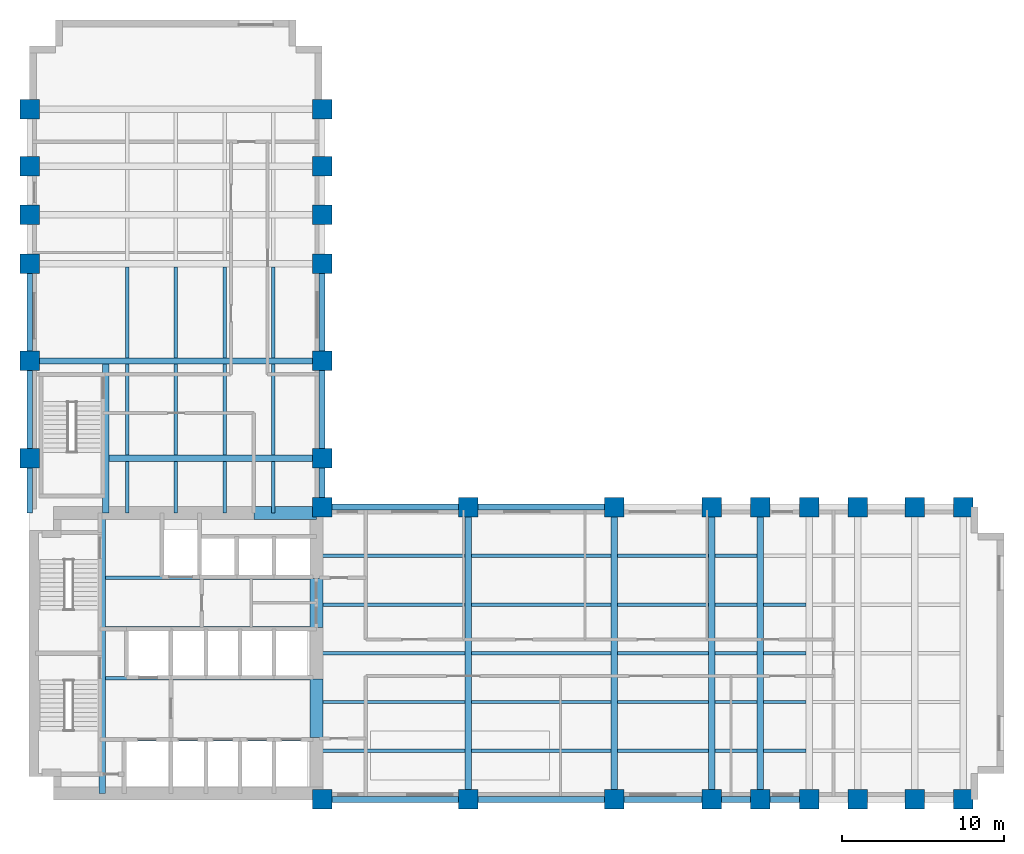
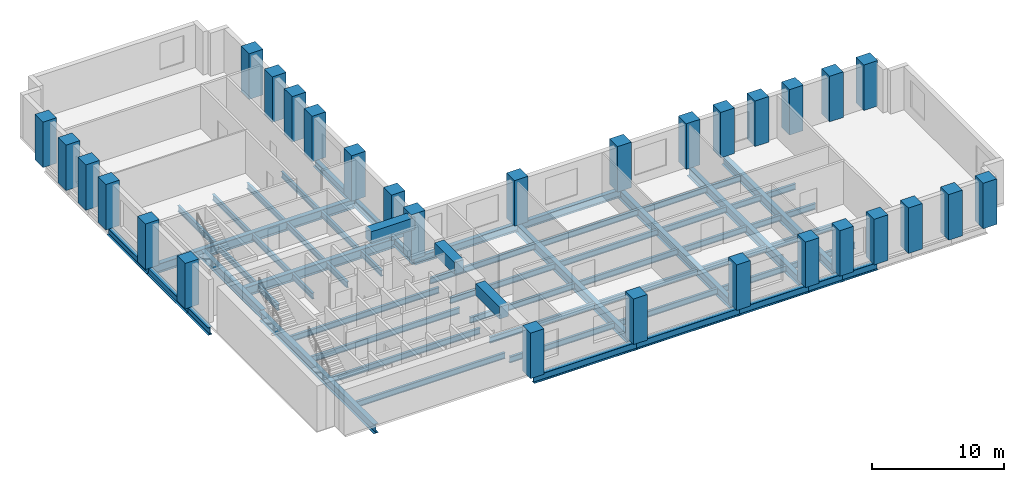
# One storey, part 1 of 7: 64 beams, 30 columns.
"""IFC4 building model written with IfcOpenShell, lengths in metres."""

from ifc_helpers import new_model, si_unit, direction, frame, origin, origin_2d, place, context, subcontext, project, spatial, rectangle, i_section, extrude, material, material_profile, profile_set, type_object, element, save


model = new_model("IFC4")

# Units and contexts
model_context = context("Model", 3, precision=1e-05, world=origin(), true_north=direction((0.0, 1.0)))
body_context = subcontext(model_context, "Body", "Model", "MODEL_VIEW")
ifc_project = project(units=[si_unit("LENGTHUNIT", "METRE"), si_unit("AREAUNIT", "SQUARE_METRE"), si_unit("VOLUMEUNIT", "CUBIC_METRE"), si_unit("PLANEANGLEUNIT", "RADIAN"), si_unit("MASSUNIT", "GRAM", prefix="KILO")], contexts=[model_context])

# Site, building, storey
site_placement = place(None, origin())
site = spatial("IfcSite", under=ifc_project, at=site_placement, CompositionType="ELEMENT")
building_placement = place(site_placement, origin())
building = spatial("IfcBuilding", under=site, at=building_placement, Name="Mawjdan Bourse Tower", CompositionType="ELEMENT")
storey_placement = place(building_placement, frame((0.0, 0.0, 59.39990234375)))
storey = spatial("IfcBuildingStorey", under=building, at=storey_placement, Name="L13", CompositionType="ELEMENT", Elevation=59.39990234375)

# Columns
ifc_material_1 = material(Name="Concrete C80/95", Category="concrete")
ifc_material_profile_1 = material_profile(ifc_material_1, rectangle(XDim=1.199951171875, YDim=1.199951171875, at=origin_2d()), Name="RC1200X1200")
ifc_profile_set_1 = profile_set([ifc_material_profile_1], Name="Concrete C80/95")
column_type = type_object("IfcColumnType", Name="COL-RC1200X1200", PredefinedType="COLUMN", material=ifc_profile_set_1)
for number, where, z_axis, x_axis, name in (
    (1, (24.0, 3.0, 0.0), (0.0, 0.0, 1.0), (1.0, 0.0, 0.0), "L13 Structural Column C-X240-Y30"),
    (2, (24.0, 21.0, 0.0), (0.0, 0.0, 1.0), (1.0, 0.0, 0.0), "L13 Structural Column C-X240-Y210"),
    (3, (33.0, 3.0, 0.0), (0.0, 0.0, 1.0), (1.0, 0.0, 0.0), "L13 Structural Column C-X330-Y30"),
    (4, (33.0, 21.0, 0.0), (0.0, 0.0, 1.0), (1.0, 0.0, 0.0), "L13 Structural Column C-X330-Y210"),
    (5, (42.0, 3.0, 0.0), (0.0, 0.0, 1.0), (1.0, 0.0, 0.0), "L13 Structural Column C-X420-Y30"),
    (6, (42.0, 21.0, 0.0), (0.0, 0.0, 1.0), (1.0, 0.0, 0.0), "L13 Structural Column C-X420-Y210"),
    (7, (48.0, 3.0, 0.0), (0.0, 0.0, 1.0), (1.0, 0.0, 0.0), "L13 Structural Column C-X480-Y30"),
    (8, (48.0, 21.0, 0.0), (0.0, 0.0, 1.0), (1.0, 0.0, 0.0), "L13 Structural Column C-X480-Y210"),
    (9, (51.0, 3.0, 0.0), (0.0, 0.0, 1.0), (1.0, 0.0, 0.0), "L13 Structural Column C-X510-Y30"),
    (10, (51.0, 21.0, 0.0), (0.0, 0.0, 1.0), (1.0, 0.0, 0.0), "L13 Structural Column C-X510-Y210"),
    (11, (54.0, 3.0, 0.0), (0.0, 0.0, 1.0), (1.0, 0.0, 0.0), "L13 Structural Column C-X540-Y30"),
    (12, (54.0, 21.0, 0.0), (0.0, 0.0, 1.0), (1.0, 0.0, 0.0), "L13 Structural Column C-X540-Y210"),
    (13, (57.0, 3.0, 0.0), (0.0, 0.0, 1.0), (1.0, 0.0, 0.0), "L13 Structural Column C-X570-Y30"),
    (14, (57.0, 21.0, 0.0), (0.0, 0.0, 1.0), (1.0, 0.0, 0.0), "L13 Structural Column C-X570-Y210"),
    (15, (60.5, 3.0, 0.0), (0.0, 0.0, 1.0), (1.0, 0.0, 0.0), "L13 Structural Column C-X605-Y30"),
    (16, (60.5, 21.0, 0.0), (0.0, 0.0, 1.0), (1.0, 0.0, 0.0), "L13 Structural Column C-X605-Y210"),
    (17, (63.5, 3.0, 0.0), (0.0, 0.0, 1.0), (1.0, 0.0, 0.0), "L13 Structural Column C-X635-Y30"),
    (18, (63.5, 21.0, 0.0), (0.0, 0.0, 1.0), (1.0, 0.0, 0.0), "L13 Structural Column C-X635-Y210"),
    (19, (6.0, 24.0, 0.0), (0.0, 0.0, 1.0), (1.0, 0.0, 0.0), "L13 Structural Column C-X60-Y240"),
    (20, (24.0, 24.0, 0.0), (0.0, 0.0, 1.0), (1.0, 0.0, 0.0), "L13 Structural Column C-X240-Y240"),
    (21, (6.0, 30.0, 0.0), (0.0, 0.0, 1.0), (1.0, 0.0, 0.0), "L13 Structural Column C-X60-Y300"),
    (22, (24.0, 30.0, 0.0), (0.0, 0.0, 1.0), (1.0, 0.0, 0.0), "L13 Structural Column C-X240-Y300"),
    (23, (6.0, 36.0, 0.0), (0.0, 0.0, 1.0), (1.0, 0.0, 0.0), "L13 Structural Column C-X60-Y360"),
    (24, (24.0, 36.0, 0.0), (0.0, 0.0, 1.0), (1.0, 0.0, 0.0), "L13 Structural Column C-X240-Y360"),
    (25, (6.0, 39.0, 0.0), (0.0, 0.0, 1.0), (1.0, 0.0, 0.0), "L13 Structural Column C-X60-Y390"),
    (26, (24.0, 39.0, 0.0), (0.0, 0.0, 1.0), (1.0, 0.0, 0.0), "L13 Structural Column C-X240-Y390"),
    (27, (6.0, 42.0, 0.0), (0.0, 0.0, 1.0), (1.0, 0.0, 0.0), "L13 Structural Column C-X60-Y420"),
    (28, (24.0, 42.0, 0.0), (0.0, 0.0, 1.0), (1.0, 0.0, 0.0), "L13 Structural Column C-X240-Y420"),
    (29, (6.0, 45.5, 0.0), (0.0, 0.0, 1.0), (1.0, 0.0, 0.0), "L13 Structural Column C-X60-Y455"),
    (30, (24.0, 45.5, 0.0), (0.0, 0.0, 1.0), (1.0, 0.0, 0.0), "L13 Structural Column C-X240-Y455"),
):
    element("IfcColumn", number, at=place(storey_placement, frame(where, z_axis=z_axis, x_axis=x_axis)), inside=storey, type_object=column_type, Name=name, PredefinedType="COLUMN", context=body_context, shape_type="SweptSolid", body=[
        extrude(rectangle(XDim=1.199951171875, YDim=1.199951171875, at=origin_2d()), origin(), (0.0, 0.0, 1.0), 4.2001953125),
    ])

# Beams
ifc_material_2 = material(Name="Structural Steel S355", Category="steel")
ifc_material_profile_2 = material_profile(ifc_material_2, i_section(OverallWidth=0.39892578125, OverallDepth=0.85595703125, WebThickness=0.018310546875, FlangeThickness=0.029296875, FilletRadius=0.0234375, at=origin_2d()), Name="W33X201")
ifc_profile_set_2 = profile_set([ifc_material_profile_2], Name="Structural Steel S355")
beam_type_1 = type_object("IfcBeamType", Name="GRD-W33X201", PredefinedType="BEAM", material=ifc_profile_set_2)
beam_1_placement = place(storey_placement, frame((10.47998046875, 3.35009765625, -0.64794921875), z_axis=(0.0, 1.0, 0.0), x_axis=(-1.0, 0.0, 0.0)))
element("IfcBeam", 31, at=beam_1_placement, inside=storey, type_object=beam_type_1, Name="L13 Core Stair Trimmer Girder 001", PredefinedType="BEAM", context=body_context, shape_type="SweptSolid", body=[
    extrude(i_section(OverallWidth=0.39892578125, OverallDepth=0.85595703125, WebThickness=0.018310546875, FlangeThickness=0.029296875, FilletRadius=0.0234375, at=origin_2d()), origin(), (0.0, 0.0, 1.0), 17.2998046875),
])
for number, where, z_axis, x_axis, name in (
    (32, (33.0, 3.0, -0.64794921875), (0.0, 1.0, 0.0), (-1.0, 0.0, 0.0), "L13 East Wing Clear-Span Girder 002"),
    (33, (42.0, 3.0, -0.64794921875), (0.0, 1.0, 0.0), (-1.0, 0.0, 0.0), "L13 East Wing Clear-Span Girder 003"),
    (34, (48.0, 3.0, -0.64794921875), (0.0, 1.0, 0.0), (-1.0, 0.0, 0.0), "L13 East Wing Clear-Span Girder 004"),
    (35, (51.0, 3.0, -0.64794921875), (0.0, 1.0, 0.0), (-1.0, 0.0, 0.0), "L13 East Wing Clear-Span Girder 005"),
):
    element("IfcBeam", number, at=place(storey_placement, frame(where, z_axis=z_axis, x_axis=x_axis)), inside=storey, type_object=beam_type_1, Name=name, PredefinedType="BEAM", context=body_context, shape_type="SweptSolid", body=[
        extrude(i_section(OverallWidth=0.39892578125, OverallDepth=0.85595703125, WebThickness=0.018310546875, FlangeThickness=0.029296875, FilletRadius=0.0234375, at=origin_2d()), origin(), (0.0, 0.0, 1.0), 18.0),
    ])
beam_2_placement = place(storey_placement, frame((10.679931640625, 20.64990234375, -0.64794921875), z_axis=(0.0, 1.0, 0.0), x_axis=(-1.0, 0.0, 0.0)))
element("IfcBeam", 36, at=beam_2_placement, inside=storey, type_object=beam_type_1, Name="L13 North Wing Stair Trimmer Girder 070", PredefinedType="BEAM", context=body_context, shape_type="SweptSolid", body=[
    extrude(i_section(OverallWidth=0.39892578125, OverallDepth=0.85595703125, WebThickness=0.018310546875, FlangeThickness=0.029296875, FilletRadius=0.0234375, at=origin_2d()), origin(), (0.0, 0.0, 1.0), 9.152587890625),
])
beam_3_placement = place(storey_placement, frame((10.87744140625, 24.0, -0.64794921875), z_axis=(1.0, 0.0, 0.0), x_axis=(0.0, 1.0, 0.0)))
element("IfcBeam", 37, at=beam_3_placement, inside=storey, type_object=beam_type_1, Name="L13 North Wing Clear-Span Girder 071", PredefinedType="BEAM", context=body_context, shape_type="SweptSolid", body=[
    extrude(i_section(OverallWidth=0.39892578125, OverallDepth=0.85595703125, WebThickness=0.018310546875, FlangeThickness=0.029296875, FilletRadius=0.0234375, at=origin_2d()), origin(), (0.0, 0.0, 1.0), 13.12255859375),
])
beam_4_placement = place(storey_placement, frame((6.0, 30.0, -0.64794921875), z_axis=(1.0, 0.0, 0.0), x_axis=(0.0, 1.0, 0.0)))
element("IfcBeam", 38, at=beam_4_placement, inside=storey, type_object=beam_type_1, Name="L13 North Wing Clear-Span Girder 072", PredefinedType="BEAM", context=body_context, shape_type="SweptSolid", body=[
    extrude(i_section(OverallWidth=0.39892578125, OverallDepth=0.85595703125, WebThickness=0.018310546875, FlangeThickness=0.029296875, FilletRadius=0.0234375, at=origin_2d()), origin(), (0.0, 0.0, 1.0), 18.0),
])
ifc_material_profile_3 = material_profile(ifc_material_2, i_section(OverallWidth=0.2119140625, OverallDepth=0.5439453125, WebThickness=0.01318359375, FlangeThickness=0.021240234375, FilletRadius=0.01708984375, at=origin_2d()), Name="W21X83")
ifc_profile_set_3 = profile_set([ifc_material_profile_3], Name="Structural Steel S355")
beam_type_2 = type_object("IfcBeamType", Name="JST-W21X83", PredefinedType="JOIST", material=ifc_profile_set_3)
beam_5_placement = place(storey_placement, frame((23.64990234375, 6.0, -0.491943359375), z_axis=(1.0, 0.0, 0.0), x_axis=(0.0, 1.0, 0.0)))
element("IfcBeam", 39, at=beam_5_placement, inside=storey, type_object=beam_type_2, Name="L13 East Wing Composite Joist 026", PredefinedType="JOIST", context=body_context, shape_type="SweptSolid", body=[
    extrude(i_section(OverallWidth=0.2119140625, OverallDepth=0.5439453125, WebThickness=0.01318359375, FlangeThickness=0.021240234375, FilletRadius=0.01708984375, at=origin_2d()), origin(), (0.0, 0.0, 1.0), 9.152587890625),
])
beam_6_placement = place(storey_placement, frame((33.197509765625, 6.0, -0.491943359375), z_axis=(1.0, 0.0, 0.0), x_axis=(0.0, 1.0, 0.0)))
element("IfcBeam", 40, at=beam_6_placement, inside=storey, type_object=beam_type_2, Name="L13 East Wing Composite Joist 027", PredefinedType="JOIST", context=body_context, shape_type="SweptSolid", body=[
    extrude(i_section(OverallWidth=0.2119140625, OverallDepth=0.5439453125, WebThickness=0.01318359375, FlangeThickness=0.021240234375, FilletRadius=0.01708984375, at=origin_2d()), origin(), (0.0, 0.0, 1.0), 8.60498046875),
])
beam_7_placement = place(storey_placement, frame((42.197509765625, 6.0, -0.491943359375), z_axis=(1.0, 0.0, 0.0), x_axis=(0.0, 1.0, 0.0)))
element("IfcBeam", 41, at=beam_7_placement, inside=storey, type_object=beam_type_2, Name="L13 East Wing Composite Joist 028", PredefinedType="JOIST", context=body_context, shape_type="SweptSolid", body=[
    extrude(i_section(OverallWidth=0.2119140625, OverallDepth=0.5439453125, WebThickness=0.01318359375, FlangeThickness=0.021240234375, FilletRadius=0.01708984375, at=origin_2d()), origin(), (0.0, 0.0, 1.0), 5.60498046875),
])
for number, where, z_axis, x_axis, name in (
    (42, (48.197509765625, 6.0, -0.491943359375), (1.0, 0.0, 0.0), (0.0, 1.0, 0.0), "L13 East Wing Composite Joist 029"),
    (43, (51.197509765625, 6.0, -0.491943359375), (1.0, 0.0, 0.0), (0.0, 1.0, 0.0), "L13 East Wing Composite Joist 030"),
):
    element("IfcBeam", number, at=place(storey_placement, frame(where, z_axis=z_axis, x_axis=x_axis)), inside=storey, type_object=beam_type_2, Name=name, PredefinedType="JOIST", context=body_context, shape_type="SweptSolid", body=[
        extrude(i_section(OverallWidth=0.2119140625, OverallDepth=0.5439453125, WebThickness=0.01318359375, FlangeThickness=0.021240234375, FilletRadius=0.01708984375, at=origin_2d()), origin(), (0.0, 0.0, 1.0), 2.60498046875),
    ])
beam_8_placement = place(storey_placement, frame((23.64990234375, 9.0, -0.491943359375), z_axis=(1.0, 0.0, 0.0), x_axis=(0.0, 1.0, 0.0)))
element("IfcBeam", 44, at=beam_8_placement, inside=storey, type_object=beam_type_2, Name="L13 East Wing Composite Joist 034", PredefinedType="JOIST", context=body_context, shape_type="SweptSolid", body=[
    extrude(i_section(OverallWidth=0.2119140625, OverallDepth=0.5439453125, WebThickness=0.01318359375, FlangeThickness=0.021240234375, FilletRadius=0.01708984375, at=origin_2d()), origin(), (0.0, 0.0, 1.0), 9.152587890625),
])
beam_9_placement = place(storey_placement, frame((33.197509765625, 9.0, -0.491943359375), z_axis=(1.0, 0.0, 0.0), x_axis=(0.0, 1.0, 0.0)))
element("IfcBeam", 45, at=beam_9_placement, inside=storey, type_object=beam_type_2, Name="L13 East Wing Composite Joist 035", PredefinedType="JOIST", context=body_context, shape_type="SweptSolid", body=[
    extrude(i_section(OverallWidth=0.2119140625, OverallDepth=0.5439453125, WebThickness=0.01318359375, FlangeThickness=0.021240234375, FilletRadius=0.01708984375, at=origin_2d()), origin(), (0.0, 0.0, 1.0), 8.60498046875),
])
beam_10_placement = place(storey_placement, frame((42.197509765625, 9.0, -0.491943359375), z_axis=(1.0, 0.0, 0.0), x_axis=(0.0, 1.0, 0.0)))
element("IfcBeam", 46, at=beam_10_placement, inside=storey, type_object=beam_type_2, Name="L13 East Wing Composite Joist 036", PredefinedType="JOIST", context=body_context, shape_type="SweptSolid", body=[
    extrude(i_section(OverallWidth=0.2119140625, OverallDepth=0.5439453125, WebThickness=0.01318359375, FlangeThickness=0.021240234375, FilletRadius=0.01708984375, at=origin_2d()), origin(), (0.0, 0.0, 1.0), 5.60498046875),
])
for number, where, z_axis, x_axis, name in (
    (47, (48.197509765625, 9.0, -0.491943359375), (1.0, 0.0, 0.0), (0.0, 1.0, 0.0), "L13 East Wing Composite Joist 037"),
    (48, (51.197509765625, 9.0, -0.491943359375), (1.0, 0.0, 0.0), (0.0, 1.0, 0.0), "L13 East Wing Composite Joist 038"),
):
    element("IfcBeam", number, at=place(storey_placement, frame(where, z_axis=z_axis, x_axis=x_axis)), inside=storey, type_object=beam_type_2, Name=name, PredefinedType="JOIST", context=body_context, shape_type="SweptSolid", body=[
        extrude(i_section(OverallWidth=0.2119140625, OverallDepth=0.5439453125, WebThickness=0.01318359375, FlangeThickness=0.021240234375, FilletRadius=0.01708984375, at=origin_2d()), origin(), (0.0, 0.0, 1.0), 2.60498046875),
    ])
beam_11_placement = place(storey_placement, frame((23.64990234375, 12.0, -0.491943359375), z_axis=(1.0, 0.0, 0.0), x_axis=(0.0, 1.0, 0.0)))
element("IfcBeam", 49, at=beam_11_placement, inside=storey, type_object=beam_type_2, Name="L13 East Wing Composite Joist 042", PredefinedType="JOIST", context=body_context, shape_type="SweptSolid", body=[
    extrude(i_section(OverallWidth=0.2119140625, OverallDepth=0.5439453125, WebThickness=0.01318359375, FlangeThickness=0.021240234375, FilletRadius=0.01708984375, at=origin_2d()), origin(), (0.0, 0.0, 1.0), 9.152587890625),
])
beam_12_placement = place(storey_placement, frame((33.197509765625, 12.0, -0.491943359375), z_axis=(1.0, 0.0, 0.0), x_axis=(0.0, 1.0, 0.0)))
element("IfcBeam", 50, at=beam_12_placement, inside=storey, type_object=beam_type_2, Name="L13 East Wing Composite Joist 043", PredefinedType="JOIST", context=body_context, shape_type="SweptSolid", body=[
    extrude(i_section(OverallWidth=0.2119140625, OverallDepth=0.5439453125, WebThickness=0.01318359375, FlangeThickness=0.021240234375, FilletRadius=0.01708984375, at=origin_2d()), origin(), (0.0, 0.0, 1.0), 8.60498046875),
])
beam_13_placement = place(storey_placement, frame((42.197509765625, 12.0, -0.491943359375), z_axis=(1.0, 0.0, 0.0), x_axis=(0.0, 1.0, 0.0)))
element("IfcBeam", 51, at=beam_13_placement, inside=storey, type_object=beam_type_2, Name="L13 East Wing Composite Joist 044", PredefinedType="JOIST", context=body_context, shape_type="SweptSolid", body=[
    extrude(i_section(OverallWidth=0.2119140625, OverallDepth=0.5439453125, WebThickness=0.01318359375, FlangeThickness=0.021240234375, FilletRadius=0.01708984375, at=origin_2d()), origin(), (0.0, 0.0, 1.0), 5.60498046875),
])
for number, where, z_axis, x_axis, name in (
    (52, (48.197509765625, 12.0, -0.491943359375), (1.0, 0.0, 0.0), (0.0, 1.0, 0.0), "L13 East Wing Composite Joist 045"),
    (53, (51.197509765625, 12.0, -0.491943359375), (1.0, 0.0, 0.0), (0.0, 1.0, 0.0), "L13 East Wing Composite Joist 046"),
):
    element("IfcBeam", number, at=place(storey_placement, frame(where, z_axis=z_axis, x_axis=x_axis)), inside=storey, type_object=beam_type_2, Name=name, PredefinedType="JOIST", context=body_context, shape_type="SweptSolid", body=[
        extrude(i_section(OverallWidth=0.2119140625, OverallDepth=0.5439453125, WebThickness=0.01318359375, FlangeThickness=0.021240234375, FilletRadius=0.01708984375, at=origin_2d()), origin(), (0.0, 0.0, 1.0), 2.60498046875),
    ])
beam_14_placement = place(storey_placement, frame((23.64990234375, 15.0, -0.491943359375), z_axis=(1.0, 0.0, 0.0), x_axis=(0.0, 1.0, 0.0)))
element("IfcBeam", 54, at=beam_14_placement, inside=storey, type_object=beam_type_2, Name="L13 East Wing Composite Joist 050", PredefinedType="JOIST", context=body_context, shape_type="SweptSolid", body=[
    extrude(i_section(OverallWidth=0.2119140625, OverallDepth=0.5439453125, WebThickness=0.01318359375, FlangeThickness=0.021240234375, FilletRadius=0.01708984375, at=origin_2d()), origin(), (0.0, 0.0, 1.0), 9.152587890625),
])
beam_15_placement = place(storey_placement, frame((33.197509765625, 15.0, -0.491943359375), z_axis=(1.0, 0.0, 0.0), x_axis=(0.0, 1.0, 0.0)))
element("IfcBeam", 55, at=beam_15_placement, inside=storey, type_object=beam_type_2, Name="L13 East Wing Composite Joist 051", PredefinedType="JOIST", context=body_context, shape_type="SweptSolid", body=[
    extrude(i_section(OverallWidth=0.2119140625, OverallDepth=0.5439453125, WebThickness=0.01318359375, FlangeThickness=0.021240234375, FilletRadius=0.01708984375, at=origin_2d()), origin(), (0.0, 0.0, 1.0), 8.60498046875),
])
beam_16_placement = place(storey_placement, frame((42.197509765625, 15.0, -0.491943359375), z_axis=(1.0, 0.0, 0.0), x_axis=(0.0, 1.0, 0.0)))
element("IfcBeam", 56, at=beam_16_placement, inside=storey, type_object=beam_type_2, Name="L13 East Wing Composite Joist 052", PredefinedType="JOIST", context=body_context, shape_type="SweptSolid", body=[
    extrude(i_section(OverallWidth=0.2119140625, OverallDepth=0.5439453125, WebThickness=0.01318359375, FlangeThickness=0.021240234375, FilletRadius=0.01708984375, at=origin_2d()), origin(), (0.0, 0.0, 1.0), 5.60498046875),
])
for number, where, z_axis, x_axis, name in (
    (57, (48.197509765625, 15.0, -0.491943359375), (1.0, 0.0, 0.0), (0.0, 1.0, 0.0), "L13 East Wing Composite Joist 053"),
    (58, (51.197509765625, 15.0, -0.491943359375), (1.0, 0.0, 0.0), (0.0, 1.0, 0.0), "L13 East Wing Composite Joist 054"),
):
    element("IfcBeam", number, at=place(storey_placement, frame(where, z_axis=z_axis, x_axis=x_axis)), inside=storey, type_object=beam_type_2, Name=name, PredefinedType="JOIST", context=body_context, shape_type="SweptSolid", body=[
        extrude(i_section(OverallWidth=0.2119140625, OverallDepth=0.5439453125, WebThickness=0.01318359375, FlangeThickness=0.021240234375, FilletRadius=0.01708984375, at=origin_2d()), origin(), (0.0, 0.0, 1.0), 2.60498046875),
    ])
beam_17_placement = place(storey_placement, frame((23.64990234375, 18.0, -0.491943359375), z_axis=(1.0, 0.0, 0.0), x_axis=(0.0, 1.0, 0.0)))
element("IfcBeam", 59, at=beam_17_placement, inside=storey, type_object=beam_type_2, Name="L13 East Wing Composite Joist 058", PredefinedType="JOIST", context=body_context, shape_type="SweptSolid", body=[
    extrude(i_section(OverallWidth=0.2119140625, OverallDepth=0.5439453125, WebThickness=0.01318359375, FlangeThickness=0.021240234375, FilletRadius=0.01708984375, at=origin_2d()), origin(), (0.0, 0.0, 1.0), 9.152587890625),
])
beam_18_placement = place(storey_placement, frame((33.197509765625, 18.0, -0.491943359375), z_axis=(1.0, 0.0, 0.0), x_axis=(0.0, 1.0, 0.0)))
element("IfcBeam", 60, at=beam_18_placement, inside=storey, type_object=beam_type_2, Name="L13 East Wing Composite Joist 059", PredefinedType="JOIST", context=body_context, shape_type="SweptSolid", body=[
    extrude(i_section(OverallWidth=0.2119140625, OverallDepth=0.5439453125, WebThickness=0.01318359375, FlangeThickness=0.021240234375, FilletRadius=0.01708984375, at=origin_2d()), origin(), (0.0, 0.0, 1.0), 8.60498046875),
])
beam_19_placement = place(storey_placement, frame((42.197509765625, 18.0, -0.491943359375), z_axis=(1.0, 0.0, 0.0), x_axis=(0.0, 1.0, 0.0)))
element("IfcBeam", 61, at=beam_19_placement, inside=storey, type_object=beam_type_2, Name="L13 East Wing Composite Joist 060", PredefinedType="JOIST", context=body_context, shape_type="SweptSolid", body=[
    extrude(i_section(OverallWidth=0.2119140625, OverallDepth=0.5439453125, WebThickness=0.01318359375, FlangeThickness=0.021240234375, FilletRadius=0.01708984375, at=origin_2d()), origin(), (0.0, 0.0, 1.0), 5.60498046875),
])
beam_20_placement = place(storey_placement, frame((48.197509765625, 18.0, -0.491943359375), z_axis=(1.0, 0.0, 0.0), x_axis=(0.0, 1.0, 0.0)))
element("IfcBeam", 62, at=beam_20_placement, inside=storey, type_object=beam_type_2, Name="L13 East Wing Composite Joist 061", PredefinedType="JOIST", context=body_context, shape_type="SweptSolid", body=[
    extrude(i_section(OverallWidth=0.2119140625, OverallDepth=0.5439453125, WebThickness=0.01318359375, FlangeThickness=0.021240234375, FilletRadius=0.01708984375, at=origin_2d()), origin(), (0.0, 0.0, 1.0), 2.60498046875),
])
for number, where, z_axis, x_axis, name in (
    (63, (10.677490234375, 6.699951171875, -0.491943359375), (1.0, 0.0, 0.0), (0.0, 1.0, 0.0), "L13 Core Floor Joist 066"),
    (64, (10.677490234375, 10.449951171875, -0.491943359375), (1.0, 0.0, 0.0), (0.0, 1.0, 0.0), "L13 Core Floor Joist 067"),
    (65, (10.677490234375, 13.550048828125, -0.491943359375), (1.0, 0.0, 0.0), (0.0, 1.0, 0.0), "L13 Core Floor Joist 068"),
    (66, (10.677490234375, 16.64990234375, -0.491943359375), (1.0, 0.0, 0.0), (0.0, 1.0, 0.0), "L13 Core Floor Joist 069"),
):
    element("IfcBeam", number, at=place(storey_placement, frame(where, z_axis=z_axis, x_axis=x_axis)), inside=storey, type_object=beam_type_2, Name=name, PredefinedType="JOIST", context=body_context, shape_type="SweptSolid", body=[
        extrude(i_section(OverallWidth=0.2119140625, OverallDepth=0.5439453125, WebThickness=0.01318359375, FlangeThickness=0.021240234375, FilletRadius=0.01708984375, at=origin_2d()), origin(), (0.0, 0.0, 1.0), 12.972412109375),
    ])
beam_21_placement = place(storey_placement, frame((12.0, 20.64990234375, -0.491943359375), z_axis=(0.0, 1.0, 0.0), x_axis=(-1.0, 0.0, 0.0)))
element("IfcBeam", 67, at=beam_21_placement, inside=storey, type_object=beam_type_2, Name="L13 North Wing Composite Joist 089", PredefinedType="JOIST", context=body_context, shape_type="SweptSolid", body=[
    extrude(i_section(OverallWidth=0.2119140625, OverallDepth=0.5439453125, WebThickness=0.01318359375, FlangeThickness=0.021240234375, FilletRadius=0.01708984375, at=origin_2d()), origin(), (0.0, 0.0, 1.0), 3.152587890625),
])
for number, where, z_axis, x_axis, name in (
    (68, (12.0, 24.197509765625, -0.491943359375), (0.0, 1.0, 0.0), (-1.0, 0.0, 0.0), "L13 North Wing Composite Joist 090"),
    (69, (12.0, 30.197509765625, -0.491943359375), (0.0, 1.0, 0.0), (-1.0, 0.0, 0.0), "L13 North Wing Composite Joist 091"),
):
    element("IfcBeam", number, at=place(storey_placement, frame(where, z_axis=z_axis, x_axis=x_axis)), inside=storey, type_object=beam_type_2, Name=name, PredefinedType="JOIST", context=body_context, shape_type="SweptSolid", body=[
        extrude(i_section(OverallWidth=0.2119140625, OverallDepth=0.5439453125, WebThickness=0.01318359375, FlangeThickness=0.021240234375, FilletRadius=0.01708984375, at=origin_2d()), origin(), (0.0, 0.0, 1.0), 5.60498046875),
    ])
beam_22_placement = place(storey_placement, frame((15.0, 20.64990234375, -0.491943359375), z_axis=(0.0, 1.0, 0.0), x_axis=(-1.0, 0.0, 0.0)))
element("IfcBeam", 70, at=beam_22_placement, inside=storey, type_object=beam_type_2, Name="L13 North Wing Composite Joist 095", PredefinedType="JOIST", context=body_context, shape_type="SweptSolid", body=[
    extrude(i_section(OverallWidth=0.2119140625, OverallDepth=0.5439453125, WebThickness=0.01318359375, FlangeThickness=0.021240234375, FilletRadius=0.01708984375, at=origin_2d()), origin(), (0.0, 0.0, 1.0), 3.152587890625),
])
for number, where, z_axis, x_axis, name in (
    (71, (15.0, 24.197509765625, -0.491943359375), (0.0, 1.0, 0.0), (-1.0, 0.0, 0.0), "L13 North Wing Composite Joist 096"),
    (72, (15.0, 30.197509765625, -0.491943359375), (0.0, 1.0, 0.0), (-1.0, 0.0, 0.0), "L13 North Wing Composite Joist 097"),
):
    element("IfcBeam", number, at=place(storey_placement, frame(where, z_axis=z_axis, x_axis=x_axis)), inside=storey, type_object=beam_type_2, Name=name, PredefinedType="JOIST", context=body_context, shape_type="SweptSolid", body=[
        extrude(i_section(OverallWidth=0.2119140625, OverallDepth=0.5439453125, WebThickness=0.01318359375, FlangeThickness=0.021240234375, FilletRadius=0.01708984375, at=origin_2d()), origin(), (0.0, 0.0, 1.0), 5.60498046875),
    ])
beam_23_placement = place(storey_placement, frame((18.0, 20.64990234375, -0.491943359375), z_axis=(0.0, 1.0, 0.0), x_axis=(-1.0, 0.0, 0.0)))
element("IfcBeam", 73, at=beam_23_placement, inside=storey, type_object=beam_type_2, Name="L13 North Wing Composite Joist 101", PredefinedType="JOIST", context=body_context, shape_type="SweptSolid", body=[
    extrude(i_section(OverallWidth=0.2119140625, OverallDepth=0.5439453125, WebThickness=0.01318359375, FlangeThickness=0.021240234375, FilletRadius=0.01708984375, at=origin_2d()), origin(), (0.0, 0.0, 1.0), 3.152587890625),
])
for number, where, z_axis, x_axis, name in (
    (74, (18.0, 24.197509765625, -0.491943359375), (0.0, 1.0, 0.0), (-1.0, 0.0, 0.0), "L13 North Wing Composite Joist 102"),
    (75, (18.0, 30.197509765625, -0.491943359375), (0.0, 1.0, 0.0), (-1.0, 0.0, 0.0), "L13 North Wing Composite Joist 103"),
):
    element("IfcBeam", number, at=place(storey_placement, frame(where, z_axis=z_axis, x_axis=x_axis)), inside=storey, type_object=beam_type_2, Name=name, PredefinedType="JOIST", context=body_context, shape_type="SweptSolid", body=[
        extrude(i_section(OverallWidth=0.2119140625, OverallDepth=0.5439453125, WebThickness=0.01318359375, FlangeThickness=0.021240234375, FilletRadius=0.01708984375, at=origin_2d()), origin(), (0.0, 0.0, 1.0), 5.60498046875),
    ])
beam_24_placement = place(storey_placement, frame((21.0, 20.64990234375, -0.491943359375), z_axis=(0.0, 1.0, 0.0), x_axis=(-1.0, 0.0, 0.0)))
element("IfcBeam", 76, at=beam_24_placement, inside=storey, type_object=beam_type_2, Name="L13 North Wing Composite Joist 107", PredefinedType="JOIST", context=body_context, shape_type="SweptSolid", body=[
    extrude(i_section(OverallWidth=0.2119140625, OverallDepth=0.5439453125, WebThickness=0.01318359375, FlangeThickness=0.021240234375, FilletRadius=0.01708984375, at=origin_2d()), origin(), (0.0, 0.0, 1.0), 3.152587890625),
])
for number, where, z_axis, x_axis, name in (
    (77, (21.0, 24.197509765625, -0.491943359375), (0.0, 1.0, 0.0), (-1.0, 0.0, 0.0), "L13 North Wing Composite Joist 108"),
    (78, (21.0, 30.197509765625, -0.491943359375), (0.0, 1.0, 0.0), (-1.0, 0.0, 0.0), "L13 North Wing Composite Joist 109"),
):
    element("IfcBeam", number, at=place(storey_placement, frame(where, z_axis=z_axis, x_axis=x_axis)), inside=storey, type_object=beam_type_2, Name=name, PredefinedType="JOIST", context=body_context, shape_type="SweptSolid", body=[
        extrude(i_section(OverallWidth=0.2119140625, OverallDepth=0.5439453125, WebThickness=0.01318359375, FlangeThickness=0.021240234375, FilletRadius=0.01708984375, at=origin_2d()), origin(), (0.0, 0.0, 1.0), 5.60498046875),
    ])
ifc_material_3 = material(Name="Concrete C70/85", Category="concrete")
ifc_material_profile_4 = material_profile(ifc_material_3, rectangle(XDim=0.800048828125, YDim=1.10009765625, at=origin_2d()), Name="RCB800X1100")
ifc_profile_set_4 = profile_set([ifc_material_profile_4], Name="Concrete C70/85")
beam_type_3 = type_object("IfcBeamType", Name="LNT-RCB800X1100", PredefinedType="LINTEL", material=ifc_profile_set_4)
beam_25_placement = place(storey_placement, frame((23.64990234375, 6.800048828125, 3.43017578125), z_axis=(0.0, 1.0, 0.0), x_axis=(-1.0, 0.0, 0.0)))
element("IfcBeam", 79, at=beam_25_placement, inside=storey, type_object=beam_type_3, Name="L13 Coupled Core Lintel CB-E1", PredefinedType="LINTEL", context=body_context, shape_type="SweptSolid", body=[
    extrude(rectangle(XDim=0.800048828125, YDim=1.10009765625, at=origin_2d()), origin(), (0.0, 0.0, 1.0), 3.599853515625),
])
beam_26_placement = place(storey_placement, frame((23.64990234375, 13.60009765625, 3.43017578125), z_axis=(0.0, 1.0, 0.0), x_axis=(-1.0, 0.0, 0.0)))
element("IfcBeam", 80, at=beam_26_placement, inside=storey, type_object=beam_type_3, Name="L13 Coupled Core Lintel CB-E2", PredefinedType="LINTEL", context=body_context, shape_type="SweptSolid", body=[
    extrude(rectangle(XDim=0.800048828125, YDim=1.10009765625, at=origin_2d()), origin(), (0.0, 0.0, 1.0), 3.0),
])
beam_27_placement = place(storey_placement, frame((19.800048828125, 20.64990234375, 3.43017578125), z_axis=(1.0, 0.0, 0.0), x_axis=(0.0, 1.0, 0.0)))
element("IfcBeam", 81, at=beam_27_placement, inside=storey, type_object=beam_type_3, Name="L13 Coupled Core Lintel CB-N1", PredefinedType="LINTEL", context=body_context, shape_type="SweptSolid", body=[
    extrude(rectangle(XDim=0.800048828125, YDim=1.10009765625, at=origin_2d()), origin(), (0.0, 0.0, 1.0), 3.849853515625),
])
ifc_material_profile_5 = material_profile(ifc_material_2, i_section(OverallWidth=0.35498046875, OverallDepth=0.696044921875, WebThickness=0.015380859375, FlangeThickness=0.02490234375, FilletRadius=0.019775390625, at=origin_2d()), Name="W27X146")
ifc_profile_set_5 = profile_set([ifc_material_profile_5], Name="Structural Steel S355")
beam_type_4 = type_object("IfcBeamType", Name="SPN-W27X146", PredefinedType="SPANDREL", material=ifc_profile_set_5)
for number, where, z_axis, x_axis, name in (
    (82, (24.0, 3.0, -0.56787109375), (1.0, 0.0, 0.0), (0.0, 1.0, 0.0), "L13 Perimeter Masonry-Shelf Spandrel 010"),
    (83, (33.0, 3.0, -0.56787109375), (1.0, 0.0, 0.0), (0.0, 1.0, 0.0), "L13 Perimeter Masonry-Shelf Spandrel 011"),
):
    element("IfcBeam", number, at=place(storey_placement, frame(where, z_axis=z_axis, x_axis=x_axis)), inside=storey, type_object=beam_type_4, Name=name, PredefinedType="SPANDREL", context=body_context, shape_type="SweptSolid", body=[
        extrude(i_section(OverallWidth=0.35498046875, OverallDepth=0.696044921875, WebThickness=0.015380859375, FlangeThickness=0.02490234375, FilletRadius=0.019775390625, at=origin_2d()), origin(), (0.0, 0.0, 1.0), 9.0),
    ])
beam_28_placement = place(storey_placement, frame((42.0, 3.0, -0.56787109375), z_axis=(1.0, 0.0, 0.0), x_axis=(0.0, 1.0, 0.0)))
element("IfcBeam", 84, at=beam_28_placement, inside=storey, type_object=beam_type_4, Name="L13 Perimeter Masonry-Shelf Spandrel 012", PredefinedType="SPANDREL", context=body_context, shape_type="SweptSolid", body=[
    extrude(i_section(OverallWidth=0.35498046875, OverallDepth=0.696044921875, WebThickness=0.015380859375, FlangeThickness=0.02490234375, FilletRadius=0.019775390625, at=origin_2d()), origin(), (0.0, 0.0, 1.0), 6.0),
])
for number, where, z_axis, x_axis, name in (
    (85, (48.0, 3.0, -0.56787109375), (1.0, 0.0, 0.0), (0.0, 1.0, 0.0), "L13 Perimeter Masonry-Shelf Spandrel 013"),
    (86, (51.0, 3.0, -0.56787109375), (1.0, 0.0, 0.0), (0.0, 1.0, 0.0), "L13 Perimeter Masonry-Shelf Spandrel 014"),
):
    element("IfcBeam", number, at=place(storey_placement, frame(where, z_axis=z_axis, x_axis=x_axis)), inside=storey, type_object=beam_type_4, Name=name, PredefinedType="SPANDREL", context=body_context, shape_type="SweptSolid", body=[
        extrude(i_section(OverallWidth=0.35498046875, OverallDepth=0.696044921875, WebThickness=0.015380859375, FlangeThickness=0.02490234375, FilletRadius=0.019775390625, at=origin_2d()), origin(), (0.0, 0.0, 1.0), 3.0),
    ])
for number, where, z_axis, x_axis, name in (
    (87, (24.0, 21.0, -0.56787109375), (1.0, 0.0, 0.0), (0.0, 1.0, 0.0), "L13 Perimeter Masonry-Shelf Spandrel 018"),
    (88, (33.0, 21.0, -0.56787109375), (1.0, 0.0, 0.0), (0.0, 1.0, 0.0), "L13 Perimeter Masonry-Shelf Spandrel 019"),
):
    element("IfcBeam", number, at=place(storey_placement, frame(where, z_axis=z_axis, x_axis=x_axis)), inside=storey, type_object=beam_type_4, Name=name, PredefinedType="SPANDREL", context=body_context, shape_type="SweptSolid", body=[
        extrude(i_section(OverallWidth=0.35498046875, OverallDepth=0.696044921875, WebThickness=0.015380859375, FlangeThickness=0.02490234375, FilletRadius=0.019775390625, at=origin_2d()), origin(), (0.0, 0.0, 1.0), 9.0),
    ])
beam_29_placement = place(storey_placement, frame((6.0, 20.64990234375, -0.56787109375), z_axis=(0.0, 1.0, 0.0), x_axis=(-1.0, 0.0, 0.0)))
element("IfcBeam", 89, at=beam_29_placement, inside=storey, type_object=beam_type_4, Name="L13 North Wing Spandrel 077", PredefinedType="SPANDREL", context=body_context, shape_type="SweptSolid", body=[
    extrude(i_section(OverallWidth=0.35498046875, OverallDepth=0.696044921875, WebThickness=0.015380859375, FlangeThickness=0.02490234375, FilletRadius=0.019775390625, at=origin_2d()), origin(), (0.0, 0.0, 1.0), 3.35009765625),
])
for number, where, z_axis, x_axis, name in (
    (90, (6.0, 24.0, -0.56787109375), (0.0, 1.0, 0.0), (-1.0, 0.0, 0.0), "L13 North Wing Spandrel 078"),
    (91, (6.0, 30.0, -0.56787109375), (0.0, 1.0, 0.0), (-1.0, 0.0, 0.0), "L13 North Wing Spandrel 079"),
):
    element("IfcBeam", number, at=place(storey_placement, frame(where, z_axis=z_axis, x_axis=x_axis)), inside=storey, type_object=beam_type_4, Name=name, PredefinedType="SPANDREL", context=body_context, shape_type="SweptSolid", body=[
        extrude(i_section(OverallWidth=0.35498046875, OverallDepth=0.696044921875, WebThickness=0.015380859375, FlangeThickness=0.02490234375, FilletRadius=0.019775390625, at=origin_2d()), origin(), (0.0, 0.0, 1.0), 6.0),
    ])
beam_30_placement = place(storey_placement, frame((24.0, 21.0, -0.56787109375), z_axis=(0.0, 1.0, 0.0), x_axis=(-1.0, 0.0, 0.0)))
element("IfcBeam", 92, at=beam_30_placement, inside=storey, type_object=beam_type_4, Name="L13 North Wing Spandrel 083", PredefinedType="SPANDREL", context=body_context, shape_type="SweptSolid", body=[
    extrude(i_section(OverallWidth=0.35498046875, OverallDepth=0.696044921875, WebThickness=0.015380859375, FlangeThickness=0.02490234375, FilletRadius=0.019775390625, at=origin_2d()), origin(), (0.0, 0.0, 1.0), 3.0),
])
for number, where, z_axis, x_axis, name in (
    (93, (24.0, 24.0, -0.56787109375), (0.0, 1.0, 0.0), (-1.0, 0.0, 0.0), "L13 North Wing Spandrel 084"),
    (94, (24.0, 30.0, -0.56787109375), (0.0, 1.0, 0.0), (-1.0, 0.0, 0.0), "L13 North Wing Spandrel 085"),
):
    element("IfcBeam", number, at=place(storey_placement, frame(where, z_axis=z_axis, x_axis=x_axis)), inside=storey, type_object=beam_type_4, Name=name, PredefinedType="SPANDREL", context=body_context, shape_type="SweptSolid", body=[
        extrude(i_section(OverallWidth=0.35498046875, OverallDepth=0.696044921875, WebThickness=0.015380859375, FlangeThickness=0.02490234375, FilletRadius=0.019775390625, at=origin_2d()), origin(), (0.0, 0.0, 1.0), 6.0),
    ])

save(model, "model.ifc")
